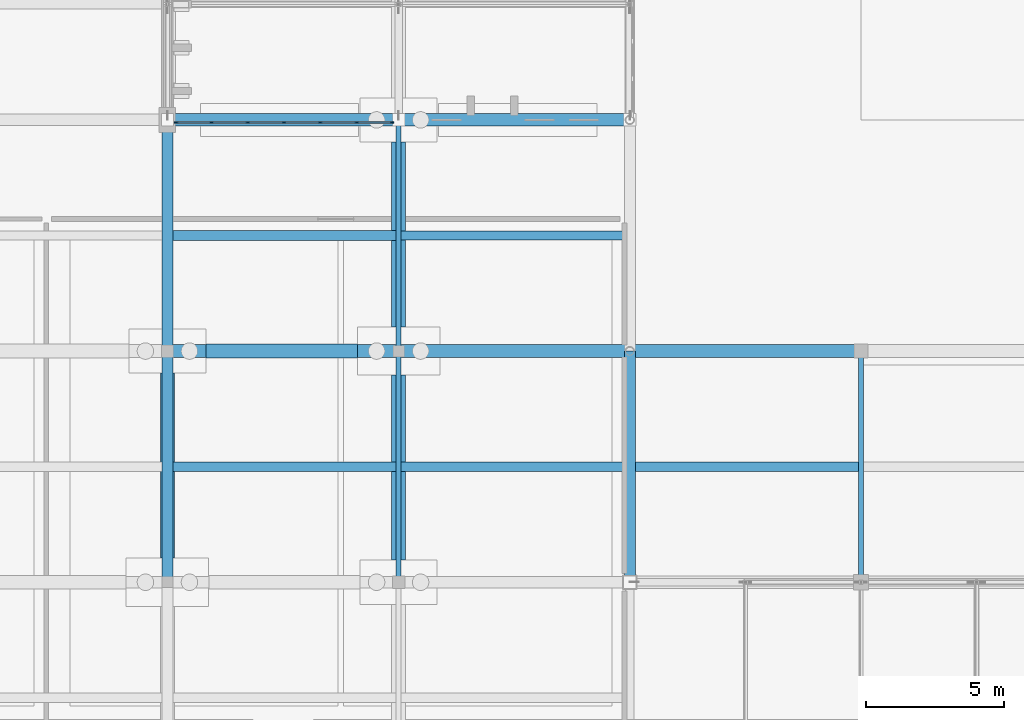
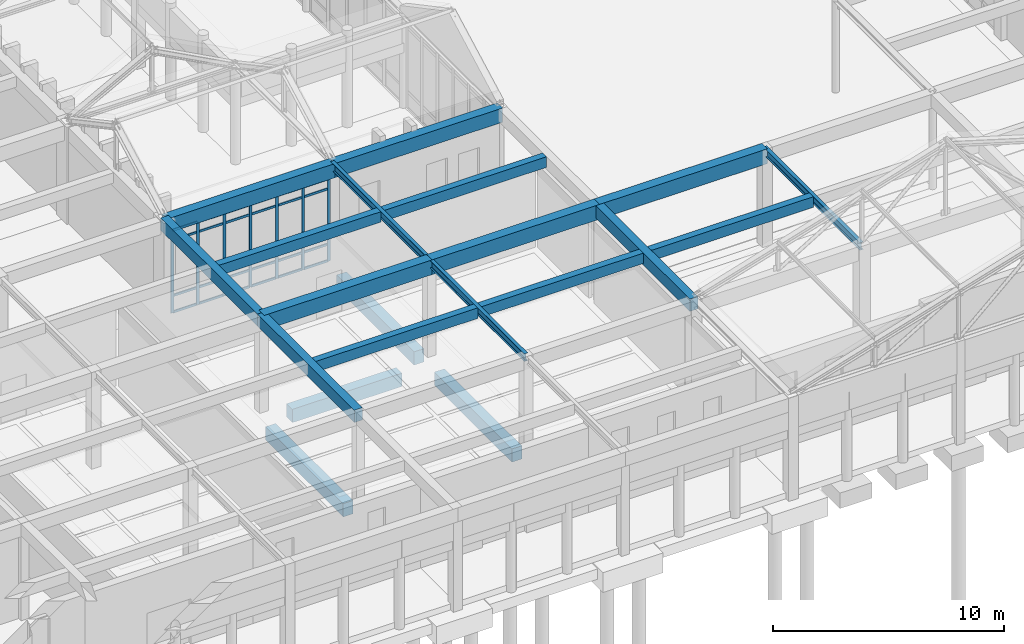
# One storey, part 25 of 143: 31 members, 20 beams, 1 element without a shape of its own.
"""IFC4 building model written with IfcOpenShell, lengths in metres."""

from ifc_helpers import new_model, si_unit, direction, frame, origin, origin_2d, place, context, subcontext, project, spatial, rectangle, i_section, extrude, material, layer, layer_set, material_profile, profile_set, type_object, element, aggregate, save


model = new_model("IFC4")

# Units and contexts
model_context = context("Model", 3, precision=1e-05, world=origin(), true_north=direction((0.0, 1.0)))
body_context = subcontext(model_context, "Body", "Model", "MODEL_VIEW")
ifc_project = project(units=[si_unit("LENGTHUNIT", "METRE"), si_unit("AREAUNIT", "SQUARE_METRE"), si_unit("VOLUMEUNIT", "CUBIC_METRE"), si_unit("PLANEANGLEUNIT", "RADIAN"), si_unit("MASSUNIT", "GRAM", prefix="KILO")], contexts=[model_context])

# Site, building, storey
site_placement = place(None, origin())
site = spatial("IfcSite", under=ifc_project, at=site_placement, CompositionType="ELEMENT")
building_placement = place(site_placement, origin())
building = spatial("IfcBuilding", under=site, at=building_placement, Name="Kveldsbrygga Polytechnic", CompositionType="ELEMENT")
storey_placement = place(building_placement, origin())
storey = spatial("IfcBuildingStorey", under=building, at=storey_placement, Name="L00", CompositionType="ELEMENT", Elevation=0.0)

# Beams
ifc_material_1 = material(Name="Concrete C35/45", Category="concrete")
ifc_material_profile_1 = material_profile(ifc_material_1, rectangle(XDim=0.39990234375, YDim=0.64990234375, at=origin_2d()), Name="RC 400x650")
ifc_profile_set_1 = profile_set([ifc_material_profile_1], Name="Concrete C35/45")
beam_type_1 = type_object("IfcBeamType", Name="BM-RC-400x650", PredefinedType="BEAM", material=ifc_profile_set_1)
beam_1_placement = place(storey_placement, frame((33.60009765625, 8.39990234375, 4.81494140625), z_axis=(0.0, 1.0, 0.0), x_axis=(-1.0, 0.0, 0.0)))
element("IfcBeam", 1, at=beam_1_placement, inside=storey, type_object=beam_type_1, Name="Primary Beam BMY-L00-04-01to02", PredefinedType="BEAM", context=body_context, shape_type="SweptSolid", body=[
    extrude(rectangle(XDim=0.39990234375, YDim=0.64990234375, at=origin_2d()), origin(), (0.0, 0.0, 1.0), 8.400146484375),
])
beam_2_placement = place(storey_placement, frame((33.60009765625, 16.800048828125, 4.81494140625), z_axis=(0.0, 1.0, 0.0), x_axis=(-1.0, 0.0, 0.0)))
element("IfcBeam", 2, at=beam_2_placement, inside=storey, type_object=beam_type_1, Name="Primary Beam BMY-L00-04-02to03", PredefinedType="BEAM", context=body_context, shape_type="SweptSolid", body=[
    extrude(rectangle(XDim=0.39990234375, YDim=0.64990234375, at=origin_2d()), origin(), (0.0, 0.0, 1.0), 8.39990234375),
])
beam_3_placement = place(storey_placement, frame((50.39990234375, 8.39990234375, 4.81494140625), z_axis=(0.0, 1.0, 0.0), x_axis=(-1.0, 0.0, 0.0)))
element("IfcBeam", 3, at=beam_3_placement, inside=storey, type_object=beam_type_1, Name="Primary Beam BMY-L00-06-01to02", PredefinedType="BEAM", context=body_context, shape_type="SweptSolid", body=[
    extrude(rectangle(XDim=0.39990234375, YDim=0.64990234375, at=origin_2d()), origin(), (0.0, 0.0, 1.0), 8.400146484375),
])
ifc_material_profile_2 = material_profile(ifc_material_1, rectangle(XDim=0.449951171875, YDim=0.75, at=origin_2d()), Name="RC 450x750")
ifc_profile_set_2 = profile_set([ifc_material_profile_2], Name="Concrete C35/45")
beam_type_2 = type_object("IfcBeamType", Name="BM-RC-450x750", PredefinedType="BEAM", material=ifc_profile_set_2)
for number, where, z_axis, x_axis, name in (
    (4, (33.60009765625, 25.199951171875, 4.764892578125), (1.0, 0.0, 0.0), (0.0, 1.0, 0.0), "Primary Beam BMX-L00-04to05-03"),
    (5, (42.0, 25.199951171875, 4.764892578125), (1.0, 0.0, 0.0), (0.0, 1.0, 0.0), "Primary Beam BMX-L00-05to06-03"),
):
    element("IfcBeam", number, at=place(storey_placement, frame(where, z_axis=z_axis, x_axis=x_axis)), inside=storey, type_object=beam_type_2, Name=name, PredefinedType="BEAM", context=body_context, shape_type="SweptSolid", body=[
        extrude(rectangle(XDim=0.449951171875, YDim=0.75, at=origin_2d()), origin(), (0.0, 0.0, 1.0), 8.39990234375),
    ])
ifc_material_profile_3 = material_profile(ifc_material_1, rectangle(XDim=0.47998046875, YDim=0.780029296875, at=origin_2d()), Name="RC 480x780")
ifc_profile_set_3 = profile_set([ifc_material_profile_3], Name="Concrete C35/45")
beam_type_3 = type_object("IfcBeamType", Name="BM-RC-480x780", PredefinedType="BEAM", material=ifc_profile_set_3)
for number, where, z_axis, x_axis, name in (
    (6, (33.60009765625, 16.800048828125, 4.75), (1.0, 0.0, 0.0), (0.0, 1.0, 0.0), "Primary Beam BMX-L00-04to05-02"),
    (7, (42.0, 16.800048828125, 4.75), (1.0, 0.0, 0.0), (0.0, 1.0, 0.0), "Primary Beam BMX-L00-05to06-02"),
):
    element("IfcBeam", number, at=place(storey_placement, frame(where, z_axis=z_axis, x_axis=x_axis)), inside=storey, type_object=beam_type_3, Name=name, PredefinedType="BEAM", context=body_context, shape_type="SweptSolid", body=[
        extrude(rectangle(XDim=0.47998046875, YDim=0.780029296875, at=origin_2d()), origin(), (0.0, 0.0, 1.0), 8.39990234375),
    ])
beam_4_placement = place(storey_placement, frame((50.39990234375, 16.800048828125, 4.75), z_axis=(1.0, 0.0, 0.0), x_axis=(0.0, 1.0, 0.0)))
element("IfcBeam", 8, at=beam_4_placement, inside=storey, type_object=beam_type_3, Name="Primary Beam BMX-L00-06to07-02", PredefinedType="BEAM", context=body_context, shape_type="SweptSolid", body=[
    extrude(rectangle(XDim=0.47998046875, YDim=0.780029296875, at=origin_2d()), origin(), (0.0, 0.0, 1.0), 8.400146484375),
])
ifc_material_2 = material(Name="Steel S355", Category="steel")
ifc_material_profile_4 = material_profile(ifc_material_2, i_section(OverallWidth=0.179931640625, OverallDepth=0.39990234375, WebThickness=0.008544921875, FlangeThickness=0.013427734375, FilletRadius=0.02099609375, at=origin_2d()), Name="IPE 400")
ifc_profile_set_4 = profile_set([ifc_material_profile_4], Name="Steel S355")
beam_type_4 = type_object("IfcBeamType", Name="BM-STL-IPE400", PredefinedType="BEAM", material=ifc_profile_set_4)
beam_5_placement = place(storey_placement, frame((42.0, 8.39990234375, 4.93994140625), z_axis=(0.0, 1.0, 0.0), x_axis=(-1.0, 0.0, 0.0)))
element("IfcBeam", 9, at=beam_5_placement, inside=storey, type_object=beam_type_4, Name="Primary Beam BMY-L00-05-01to02", PredefinedType="BEAM", context=body_context, shape_type="SweptSolid", body=[
    extrude(i_section(OverallWidth=0.179931640625, OverallDepth=0.39990234375, WebThickness=0.008544921875, FlangeThickness=0.013427734375, FilletRadius=0.02099609375, at=origin_2d()), origin(), (0.0, 0.0, 1.0), 8.400146484375),
])
beam_6_placement = place(storey_placement, frame((42.0, 16.800048828125, 4.93994140625), z_axis=(0.0, 1.0, 0.0), x_axis=(-1.0, 0.0, 0.0)))
element("IfcBeam", 10, at=beam_6_placement, inside=storey, type_object=beam_type_4, Name="Primary Beam BMY-L00-05-02to03", PredefinedType="BEAM", context=body_context, shape_type="SweptSolid", body=[
    extrude(i_section(OverallWidth=0.179931640625, OverallDepth=0.39990234375, WebThickness=0.008544921875, FlangeThickness=0.013427734375, FilletRadius=0.02099609375, at=origin_2d()), origin(), (0.0, 0.0, 1.0), 8.39990234375),
])
beam_7_placement = place(storey_placement, frame((58.800048828125, 8.39990234375, 4.93994140625), z_axis=(0.0, 1.0, 0.0), x_axis=(-1.0, 0.0, 0.0)))
element("IfcBeam", 11, at=beam_7_placement, inside=storey, type_object=beam_type_4, Name="Primary Beam BMY-L00-07-01to02", PredefinedType="BEAM", context=body_context, shape_type="SweptSolid", body=[
    extrude(i_section(OverallWidth=0.179931640625, OverallDepth=0.39990234375, WebThickness=0.008544921875, FlangeThickness=0.013427734375, FilletRadius=0.02099609375, at=origin_2d()), origin(), (0.0, 0.0, 1.0), 8.400146484375),
])
ifc_material_profile_5 = material_profile(ifc_material_1, rectangle(XDim=0.5, YDim=0.699951171875, at=origin_2d()), Name="RC 500x700")
ifc_profile_set_5 = profile_set([ifc_material_profile_5], Name="Concrete C35/45")
beam_type_5 = type_object("IfcBeamType", Name="BM-TIE-500x700", PredefinedType="BEAM", material=ifc_profile_set_5)
beam_8_placement = place(storey_placement, frame((33.60009765625, 9.277099609375, -0.669921875), z_axis=(0.0, 1.0, 0.0), x_axis=(-1.0, 0.0, 0.0)))
element("IfcBeam", 12, at=beam_8_placement, inside=storey, type_object=beam_type_5, Name="Ground Tie Beam GB-L00-Y-04-01", PredefinedType="BEAM", context=body_context, shape_type="SweptSolid", body=[
    extrude(rectangle(XDim=0.5, YDim=0.699951171875, at=origin_2d()), origin(), (0.0, 0.0, 1.0), 6.720947265625),
])
beam_9_placement = place(storey_placement, frame((35.001953125, 16.800048828125, -0.669921875), z_axis=(1.0, 0.0, 0.0), x_axis=(0.0, 1.0, 0.0)))
element("IfcBeam", 13, at=beam_9_placement, inside=storey, type_object=beam_type_5, Name="Ground Tie Beam GB-L00-X-04-02", PredefinedType="BEAM", context=body_context, shape_type="SweptSolid", body=[
    extrude(rectangle(XDim=0.5, YDim=0.699951171875, at=origin_2d()), origin(), (0.0, 0.0, 1.0), 5.49609375),
])
beam_10_placement = place(storey_placement, frame((42.0, 9.201904296875, -0.669921875), z_axis=(0.0, 1.0, 0.0), x_axis=(-1.0, 0.0, 0.0)))
element("IfcBeam", 14, at=beam_10_placement, inside=storey, type_object=beam_type_5, Name="Ground Tie Beam GB-L00-Y-05-01", PredefinedType="BEAM", context=body_context, shape_type="SweptSolid", body=[
    extrude(rectangle(XDim=0.5, YDim=0.699951171875, at=origin_2d()), origin(), (0.0, 0.0, 1.0), 6.72119140625),
])
beam_11_placement = place(storey_placement, frame((42.0, 17.677001953125, -0.669921875), z_axis=(0.0, 1.0, 0.0), x_axis=(-1.0, 0.0, 0.0)))
element("IfcBeam", 15, at=beam_11_placement, inside=storey, type_object=beam_type_5, Name="Ground Tie Beam GB-L00-Y-05-02", PredefinedType="BEAM", context=body_context, shape_type="SweptSolid", body=[
    extrude(rectangle(XDim=0.5, YDim=0.699951171875, at=origin_2d()), origin(), (0.0, 0.0, 1.0), 6.720947265625),
])

# Curtain wall, members
ifc_material_3 = material(Name="Anodised aluminium AW-6060", Category="aluminium")
ifc_layer = layer(ifc_material_3, 0.179931640625)
ifc_layer_set = layer_set([ifc_layer], Name="Anodised aluminium AW-6060")
curtain_wall_type = type_object("IfcCurtainWallType", Name="CW-CONC-A", PredefinedType="USERDEFINED", material=ifc_layer_set)
curtain_wall_placement = place(storey_placement, origin())
curtain_wall = element("IfcCurtainWall", 16, at=curtain_wall_placement, inside=storey, type_object=curtain_wall_type, Name="Curtain Wall CW-L00-X-04-03", ObjectType="UNITISED CURTAIN WALL", PredefinedType="USERDEFINED")
ifc_material_profile_6 = material_profile(ifc_material_3, rectangle(XDim=0.06005859375, YDim=0.139892578125, at=origin_2d()), Name="ALU 60x140")
ifc_profile_set_6 = profile_set([ifc_material_profile_6], Name="Anodised aluminium AW-6060")
member_type_1 = type_object("IfcMemberType", Name="CW-MUL-140", PredefinedType="MULLION", material=ifc_profile_set_6)
member_1_placement = place(storey_placement, frame((33.9150390625, 25.10009765625, 0.0), z_axis=(0.0, 0.0, 1.0), x_axis=(0.0, 1.0, 0.0)))
member_1 = element("IfcMember", 17, at=member_1_placement, type_object=member_type_1, Name="CW-01 mullion 1", PredefinedType="MULLION", context=body_context, shape_type="SweptSolid", body=[
    extrude(rectangle(XDim=0.06005859375, YDim=0.139892578125, at=origin_2d()), origin(), (0.0, 0.0, 1.0), 4.389892578125),
])
member_2_placement = place(storey_placement, frame((35.202392578125, 25.10009765625, 0.0), z_axis=(0.0, 0.0, 1.0), x_axis=(0.0, 1.0, 0.0)))
member_2 = element("IfcMember", 18, at=member_2_placement, type_object=member_type_1, Name="CW-01 mullion 2", PredefinedType="MULLION", context=body_context, shape_type="SweptSolid", body=[
    extrude(rectangle(XDim=0.06005859375, YDim=0.139892578125, at=origin_2d()), origin(), (0.0, 0.0, 1.0), 4.389892578125),
])
member_3_placement = place(storey_placement, frame((36.52001953125, 25.10009765625, 0.0), z_axis=(0.0, 0.0, 1.0), x_axis=(0.0, 1.0, 0.0)))
member_3 = element("IfcMember", 19, at=member_3_placement, type_object=member_type_1, Name="CW-01 mullion 3", PredefinedType="MULLION", context=body_context, shape_type="SweptSolid", body=[
    extrude(rectangle(XDim=0.06005859375, YDim=0.139892578125, at=origin_2d()), origin(), (0.0, 0.0, 1.0), 4.389892578125),
])
member_4_placement = place(storey_placement, frame((37.83740234375, 25.10009765625, 0.0), z_axis=(0.0, 0.0, 1.0), x_axis=(0.0, 1.0, 0.0)))
member_4 = element("IfcMember", 20, at=member_4_placement, type_object=member_type_1, Name="CW-01 mullion 4", PredefinedType="MULLION", context=body_context, shape_type="SweptSolid", body=[
    extrude(rectangle(XDim=0.06005859375, YDim=0.139892578125, at=origin_2d()), origin(), (0.0, 0.0, 1.0), 4.389892578125),
])
member_5_placement = place(storey_placement, frame((39.155029296875, 25.10009765625, 0.0), z_axis=(0.0, 0.0, 1.0), x_axis=(0.0, 1.0, 0.0)))
member_5 = element("IfcMember", 21, at=member_5_placement, type_object=member_type_1, Name="CW-01 mullion 5", PredefinedType="MULLION", context=body_context, shape_type="SweptSolid", body=[
    extrude(rectangle(XDim=0.06005859375, YDim=0.139892578125, at=origin_2d()), origin(), (0.0, 0.0, 1.0), 4.389892578125),
])
member_6_placement = place(storey_placement, frame((40.472412109375, 25.10009765625, 0.0), z_axis=(0.0, 0.0, 1.0), x_axis=(0.0, 1.0, 0.0)))
member_6 = element("IfcMember", 22, at=member_6_placement, type_object=member_type_1, Name="CW-01 mullion 6", PredefinedType="MULLION", context=body_context, shape_type="SweptSolid", body=[
    extrude(rectangle(XDim=0.06005859375, YDim=0.139892578125, at=origin_2d()), origin(), (0.0, 0.0, 1.0), 4.389892578125),
])
member_7_placement = place(storey_placement, frame((41.760009765625, 25.10009765625, 0.0), z_axis=(0.0, 0.0, 1.0), x_axis=(0.0, 1.0, 0.0)))
member_7 = element("IfcMember", 23, at=member_7_placement, type_object=member_type_1, Name="CW-01 mullion 7", PredefinedType="MULLION", context=body_context, shape_type="SweptSolid", body=[
    extrude(rectangle(XDim=0.06005859375, YDim=0.139892578125, at=origin_2d()), origin(), (0.0, 0.0, 1.0), 4.389892578125),
])
ifc_material_profile_7 = material_profile(ifc_material_3, rectangle(XDim=0.06005859375, YDim=0.1201171875, at=origin_2d()), Name="ALU 60x120")
ifc_profile_set_7 = profile_set([ifc_material_profile_7], Name="Anodised aluminium AW-6060")
member_type_2 = type_object("IfcMemberType", Name="CW-TRN-120", PredefinedType="USERDEFINED", material=ifc_profile_set_7)
member_8_placement = place(storey_placement, frame((33.945068359375, 25.10009765625, 0.030029296875), z_axis=(1.0, 0.0, 0.0), x_axis=(0.0, 1.0, 0.0)))
member_8 = element("IfcMember", 24, at=member_8_placement, type_object=member_type_2, Name="CW-01 transom 1.1", ObjectType="TRANSOM", PredefinedType="USERDEFINED", context=body_context, shape_type="SweptSolid", body=[
    extrude(rectangle(XDim=0.06005859375, YDim=0.1201171875, at=origin_2d()), origin(), (0.0, 0.0, 1.0), 1.2275390625),
])
member_9_placement = place(storey_placement, frame((33.945068359375, 25.10009765625, 0.89990234375), z_axis=(1.0, 0.0, 0.0), x_axis=(0.0, 1.0, 0.0)))
member_9 = element("IfcMember", 25, at=member_9_placement, type_object=member_type_2, Name="CW-01 transom 1.2", ObjectType="TRANSOM", PredefinedType="USERDEFINED", context=body_context, shape_type="SweptSolid", body=[
    extrude(rectangle(XDim=0.06005859375, YDim=0.1201171875, at=origin_2d()), origin(), (0.0, 0.0, 1.0), 1.2275390625),
])
member_10_placement = place(storey_placement, frame((33.945068359375, 25.10009765625, 3.840087890625), z_axis=(1.0, 0.0, 0.0), x_axis=(0.0, 1.0, 0.0)))
member_10 = element("IfcMember", 26, at=member_10_placement, type_object=member_type_2, Name="CW-01 transom 1.3", ObjectType="TRANSOM", PredefinedType="USERDEFINED", context=body_context, shape_type="SweptSolid", body=[
    extrude(rectangle(XDim=0.06005859375, YDim=0.1201171875, at=origin_2d()), origin(), (0.0, 0.0, 1.0), 1.2275390625),
])
member_11_placement = place(storey_placement, frame((33.945068359375, 25.10009765625, 4.360107421875), z_axis=(1.0, 0.0, 0.0), x_axis=(0.0, 1.0, 0.0)))
member_11 = element("IfcMember", 27, at=member_11_placement, type_object=member_type_2, Name="CW-01 transom 1.4", ObjectType="TRANSOM", PredefinedType="USERDEFINED", context=body_context, shape_type="SweptSolid", body=[
    extrude(rectangle(XDim=0.06005859375, YDim=0.1201171875, at=origin_2d()), origin(), (0.0, 0.0, 1.0), 1.2275390625),
])
member_12_placement = place(storey_placement, frame((35.232421875, 25.10009765625, 0.030029296875), z_axis=(1.0, 0.0, 0.0), x_axis=(0.0, 1.0, 0.0)))
member_12 = element("IfcMember", 28, at=member_12_placement, type_object=member_type_2, Name="CW-01 transom 2.1", ObjectType="TRANSOM", PredefinedType="USERDEFINED", context=body_context, shape_type="SweptSolid", body=[
    extrude(rectangle(XDim=0.06005859375, YDim=0.1201171875, at=origin_2d()), origin(), (0.0, 0.0, 1.0), 1.257568359375),
])
member_13_placement = place(storey_placement, frame((35.232421875, 25.10009765625, 0.89990234375), z_axis=(1.0, 0.0, 0.0), x_axis=(0.0, 1.0, 0.0)))
member_13 = element("IfcMember", 29, at=member_13_placement, type_object=member_type_2, Name="CW-01 transom 2.2", ObjectType="TRANSOM", PredefinedType="USERDEFINED", context=body_context, shape_type="SweptSolid", body=[
    extrude(rectangle(XDim=0.06005859375, YDim=0.1201171875, at=origin_2d()), origin(), (0.0, 0.0, 1.0), 1.257568359375),
])
member_14_placement = place(storey_placement, frame((35.232421875, 25.10009765625, 3.840087890625), z_axis=(1.0, 0.0, 0.0), x_axis=(0.0, 1.0, 0.0)))
member_14 = element("IfcMember", 30, at=member_14_placement, type_object=member_type_2, Name="CW-01 transom 2.3", ObjectType="TRANSOM", PredefinedType="USERDEFINED", context=body_context, shape_type="SweptSolid", body=[
    extrude(rectangle(XDim=0.06005859375, YDim=0.1201171875, at=origin_2d()), origin(), (0.0, 0.0, 1.0), 1.257568359375),
])
member_15_placement = place(storey_placement, frame((35.232421875, 25.10009765625, 4.360107421875), z_axis=(1.0, 0.0, 0.0), x_axis=(0.0, 1.0, 0.0)))
member_15 = element("IfcMember", 31, at=member_15_placement, type_object=member_type_2, Name="CW-01 transom 2.4", ObjectType="TRANSOM", PredefinedType="USERDEFINED", context=body_context, shape_type="SweptSolid", body=[
    extrude(rectangle(XDim=0.06005859375, YDim=0.1201171875, at=origin_2d()), origin(), (0.0, 0.0, 1.0), 1.257568359375),
])
member_16_placement = place(storey_placement, frame((36.550048828125, 25.10009765625, 0.030029296875), z_axis=(1.0, 0.0, 0.0), x_axis=(0.0, 1.0, 0.0)))
member_16 = element("IfcMember", 32, at=member_16_placement, type_object=member_type_2, Name="CW-01 transom 3.1", ObjectType="TRANSOM", PredefinedType="USERDEFINED", context=body_context, shape_type="SweptSolid", body=[
    extrude(rectangle(XDim=0.06005859375, YDim=0.1201171875, at=origin_2d()), origin(), (0.0, 0.0, 1.0), 1.257568359375),
])
member_17_placement = place(storey_placement, frame((36.550048828125, 25.10009765625, 0.89990234375), z_axis=(1.0, 0.0, 0.0), x_axis=(0.0, 1.0, 0.0)))
member_17 = element("IfcMember", 33, at=member_17_placement, type_object=member_type_2, Name="CW-01 transom 3.2", ObjectType="TRANSOM", PredefinedType="USERDEFINED", context=body_context, shape_type="SweptSolid", body=[
    extrude(rectangle(XDim=0.06005859375, YDim=0.1201171875, at=origin_2d()), origin(), (0.0, 0.0, 1.0), 1.257568359375),
])
member_18_placement = place(storey_placement, frame((36.550048828125, 25.10009765625, 3.840087890625), z_axis=(1.0, 0.0, 0.0), x_axis=(0.0, 1.0, 0.0)))
member_18 = element("IfcMember", 34, at=member_18_placement, type_object=member_type_2, Name="CW-01 transom 3.3", ObjectType="TRANSOM", PredefinedType="USERDEFINED", context=body_context, shape_type="SweptSolid", body=[
    extrude(rectangle(XDim=0.06005859375, YDim=0.1201171875, at=origin_2d()), origin(), (0.0, 0.0, 1.0), 1.257568359375),
])
member_19_placement = place(storey_placement, frame((36.550048828125, 25.10009765625, 4.360107421875), z_axis=(1.0, 0.0, 0.0), x_axis=(0.0, 1.0, 0.0)))
member_19 = element("IfcMember", 35, at=member_19_placement, type_object=member_type_2, Name="CW-01 transom 3.4", ObjectType="TRANSOM", PredefinedType="USERDEFINED", context=body_context, shape_type="SweptSolid", body=[
    extrude(rectangle(XDim=0.06005859375, YDim=0.1201171875, at=origin_2d()), origin(), (0.0, 0.0, 1.0), 1.257568359375),
])
member_20_placement = place(storey_placement, frame((37.867431640625, 25.10009765625, 0.030029296875), z_axis=(1.0, 0.0, 0.0), x_axis=(0.0, 1.0, 0.0)))
member_20 = element("IfcMember", 36, at=member_20_placement, type_object=member_type_2, Name="CW-01 transom 4.1", ObjectType="TRANSOM", PredefinedType="USERDEFINED", context=body_context, shape_type="SweptSolid", body=[
    extrude(rectangle(XDim=0.06005859375, YDim=0.1201171875, at=origin_2d()), origin(), (0.0, 0.0, 1.0), 1.257568359375),
])
member_21_placement = place(storey_placement, frame((37.867431640625, 25.10009765625, 0.89990234375), z_axis=(1.0, 0.0, 0.0), x_axis=(0.0, 1.0, 0.0)))
member_21 = element("IfcMember", 37, at=member_21_placement, type_object=member_type_2, Name="CW-01 transom 4.2", ObjectType="TRANSOM", PredefinedType="USERDEFINED", context=body_context, shape_type="SweptSolid", body=[
    extrude(rectangle(XDim=0.06005859375, YDim=0.1201171875, at=origin_2d()), origin(), (0.0, 0.0, 1.0), 1.257568359375),
])
member_22_placement = place(storey_placement, frame((37.867431640625, 25.10009765625, 3.840087890625), z_axis=(1.0, 0.0, 0.0), x_axis=(0.0, 1.0, 0.0)))
member_22 = element("IfcMember", 38, at=member_22_placement, type_object=member_type_2, Name="CW-01 transom 4.3", ObjectType="TRANSOM", PredefinedType="USERDEFINED", context=body_context, shape_type="SweptSolid", body=[
    extrude(rectangle(XDim=0.06005859375, YDim=0.1201171875, at=origin_2d()), origin(), (0.0, 0.0, 1.0), 1.257568359375),
])
member_23_placement = place(storey_placement, frame((37.867431640625, 25.10009765625, 4.360107421875), z_axis=(1.0, 0.0, 0.0), x_axis=(0.0, 1.0, 0.0)))
member_23 = element("IfcMember", 39, at=member_23_placement, type_object=member_type_2, Name="CW-01 transom 4.4", ObjectType="TRANSOM", PredefinedType="USERDEFINED", context=body_context, shape_type="SweptSolid", body=[
    extrude(rectangle(XDim=0.06005859375, YDim=0.1201171875, at=origin_2d()), origin(), (0.0, 0.0, 1.0), 1.257568359375),
])
member_24_placement = place(storey_placement, frame((39.18505859375, 25.10009765625, 0.030029296875), z_axis=(1.0, 0.0, 0.0), x_axis=(0.0, 1.0, 0.0)))
member_24 = element("IfcMember", 40, at=member_24_placement, type_object=member_type_2, Name="CW-01 transom 5.1", ObjectType="TRANSOM", PredefinedType="USERDEFINED", context=body_context, shape_type="SweptSolid", body=[
    extrude(rectangle(XDim=0.06005859375, YDim=0.1201171875, at=origin_2d()), origin(), (0.0, 0.0, 1.0), 1.25732421875),
])
member_25_placement = place(storey_placement, frame((39.18505859375, 25.10009765625, 0.89990234375), z_axis=(1.0, 0.0, 0.0), x_axis=(0.0, 1.0, 0.0)))
member_25 = element("IfcMember", 41, at=member_25_placement, type_object=member_type_2, Name="CW-01 transom 5.2", ObjectType="TRANSOM", PredefinedType="USERDEFINED", context=body_context, shape_type="SweptSolid", body=[
    extrude(rectangle(XDim=0.06005859375, YDim=0.1201171875, at=origin_2d()), origin(), (0.0, 0.0, 1.0), 1.25732421875),
])
member_26_placement = place(storey_placement, frame((39.18505859375, 25.10009765625, 3.840087890625), z_axis=(1.0, 0.0, 0.0), x_axis=(0.0, 1.0, 0.0)))
member_26 = element("IfcMember", 42, at=member_26_placement, type_object=member_type_2, Name="CW-01 transom 5.3", ObjectType="TRANSOM", PredefinedType="USERDEFINED", context=body_context, shape_type="SweptSolid", body=[
    extrude(rectangle(XDim=0.06005859375, YDim=0.1201171875, at=origin_2d()), origin(), (0.0, 0.0, 1.0), 1.25732421875),
])
member_27_placement = place(storey_placement, frame((39.18505859375, 25.10009765625, 4.360107421875), z_axis=(1.0, 0.0, 0.0), x_axis=(0.0, 1.0, 0.0)))
member_27 = element("IfcMember", 43, at=member_27_placement, type_object=member_type_2, Name="CW-01 transom 5.4", ObjectType="TRANSOM", PredefinedType="USERDEFINED", context=body_context, shape_type="SweptSolid", body=[
    extrude(rectangle(XDim=0.06005859375, YDim=0.1201171875, at=origin_2d()), origin(), (0.0, 0.0, 1.0), 1.25732421875),
])
member_28_placement = place(storey_placement, frame((40.50244140625, 25.10009765625, 0.030029296875), z_axis=(1.0, 0.0, 0.0), x_axis=(0.0, 1.0, 0.0)))
member_28 = element("IfcMember", 44, at=member_28_placement, type_object=member_type_2, Name="CW-01 transom 6.1", ObjectType="TRANSOM", PredefinedType="USERDEFINED", context=body_context, shape_type="SweptSolid", body=[
    extrude(rectangle(XDim=0.06005859375, YDim=0.1201171875, at=origin_2d()), origin(), (0.0, 0.0, 1.0), 1.2275390625),
])
member_29_placement = place(storey_placement, frame((40.50244140625, 25.10009765625, 0.89990234375), z_axis=(1.0, 0.0, 0.0), x_axis=(0.0, 1.0, 0.0)))
member_29 = element("IfcMember", 45, at=member_29_placement, type_object=member_type_2, Name="CW-01 transom 6.2", ObjectType="TRANSOM", PredefinedType="USERDEFINED", context=body_context, shape_type="SweptSolid", body=[
    extrude(rectangle(XDim=0.06005859375, YDim=0.1201171875, at=origin_2d()), origin(), (0.0, 0.0, 1.0), 1.2275390625),
])
member_30_placement = place(storey_placement, frame((40.50244140625, 25.10009765625, 3.840087890625), z_axis=(1.0, 0.0, 0.0), x_axis=(0.0, 1.0, 0.0)))
member_30 = element("IfcMember", 46, at=member_30_placement, type_object=member_type_2, Name="CW-01 transom 6.3", ObjectType="TRANSOM", PredefinedType="USERDEFINED", context=body_context, shape_type="SweptSolid", body=[
    extrude(rectangle(XDim=0.06005859375, YDim=0.1201171875, at=origin_2d()), origin(), (0.0, 0.0, 1.0), 1.2275390625),
])
member_31_placement = place(storey_placement, frame((40.50244140625, 25.10009765625, 4.360107421875), z_axis=(1.0, 0.0, 0.0), x_axis=(0.0, 1.0, 0.0)))
member_31 = element("IfcMember", 47, at=member_31_placement, type_object=member_type_2, Name="CW-01 transom 6.4", ObjectType="TRANSOM", PredefinedType="USERDEFINED", context=body_context, shape_type="SweptSolid", body=[
    extrude(rectangle(XDim=0.06005859375, YDim=0.1201171875, at=origin_2d()), origin(), (0.0, 0.0, 1.0), 1.2275390625),
])
aggregate(curtain_wall, [member_1, member_2, member_3, member_4, member_5, member_6, member_7, member_8, member_9, member_10, member_11, member_12, member_13, member_14, member_15, member_16, member_17, member_18, member_19, member_20, member_21, member_22, member_23, member_24, member_25, member_26, member_27, member_28, member_29, member_30, member_31])

# Beams
ifc_material_profile_8 = material_profile(ifc_material_1, rectangle(XDim=0.340087890625, YDim=0.56005859375, at=origin_2d()), Name="RC 340x560")
ifc_profile_set_8 = profile_set([ifc_material_profile_8], Name="Concrete C35/45")
beam_type_6 = type_object("IfcBeamType", Name="JST-RC-340x560", PredefinedType="JOIST", material=ifc_profile_set_8)
for number, where, z_axis, x_axis, name in (
    (48, (33.800048828125, 12.60009765625, 4.860107421875), (1.0, 0.0, 0.0), (0.0, 1.0, 0.0), "Secondary Joist JST-L00-04-01"),
    (49, (42.090087890625, 21.0, 4.860107421875), (1.0, 0.0, 0.0), (0.0, 1.0, 0.0), "Secondary Joist JST-L00-05-02"),
    (50, (50.60009765625, 12.60009765625, 4.860107421875), (1.0, 0.0, 0.0), (0.0, 1.0, 0.0), "Secondary Joist JST-L00-06-01"),
):
    element("IfcBeam", number, at=place(storey_placement, frame(where, z_axis=z_axis, x_axis=x_axis)), inside=storey, type_object=beam_type_6, Name=name, PredefinedType="JOIST", context=body_context, shape_type="SweptSolid", body=[
        extrude(rectangle(XDim=0.340087890625, YDim=0.56005859375, at=origin_2d()), origin(), (0.0, 0.0, 1.0), 8.10986328125),
    ])
ifc_material_profile_9 = material_profile(ifc_material_1, rectangle(XDim=0.35009765625, YDim=0.550048828125, at=origin_2d()), Name="RC 350x550")
ifc_profile_set_9 = profile_set([ifc_material_profile_9], Name="Concrete C35/45")
beam_type_7 = type_object("IfcBeamType", Name="JST-RC-350x550", PredefinedType="JOIST", material=ifc_profile_set_9)
for number, where, z_axis, x_axis, name in (
    (51, (33.800048828125, 21.0, 4.864990234375), (1.0, 0.0, 0.0), (0.0, 1.0, 0.0), "Secondary Joist JST-L00-04-02"),
    (52, (42.090087890625, 12.60009765625, 4.864990234375), (1.0, 0.0, 0.0), (0.0, 1.0, 0.0), "Secondary Joist JST-L00-05-01"),
):
    element("IfcBeam", number, at=place(storey_placement, frame(where, z_axis=z_axis, x_axis=x_axis)), inside=storey, type_object=beam_type_7, Name=name, PredefinedType="JOIST", context=body_context, shape_type="SweptSolid", body=[
        extrude(rectangle(XDim=0.35009765625, YDim=0.550048828125, at=origin_2d()), origin(), (0.0, 0.0, 1.0), 8.10986328125),
    ])

save(model, "model.ifc")
